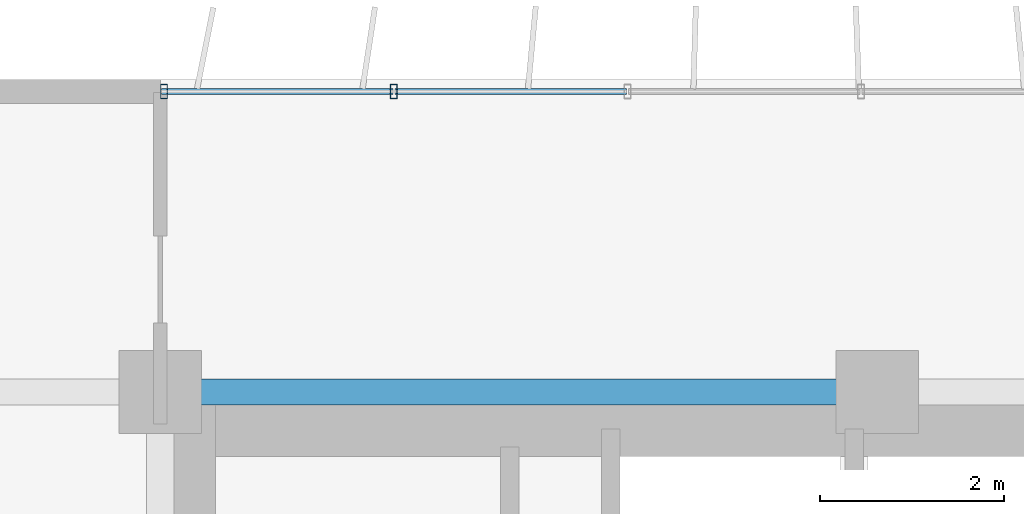
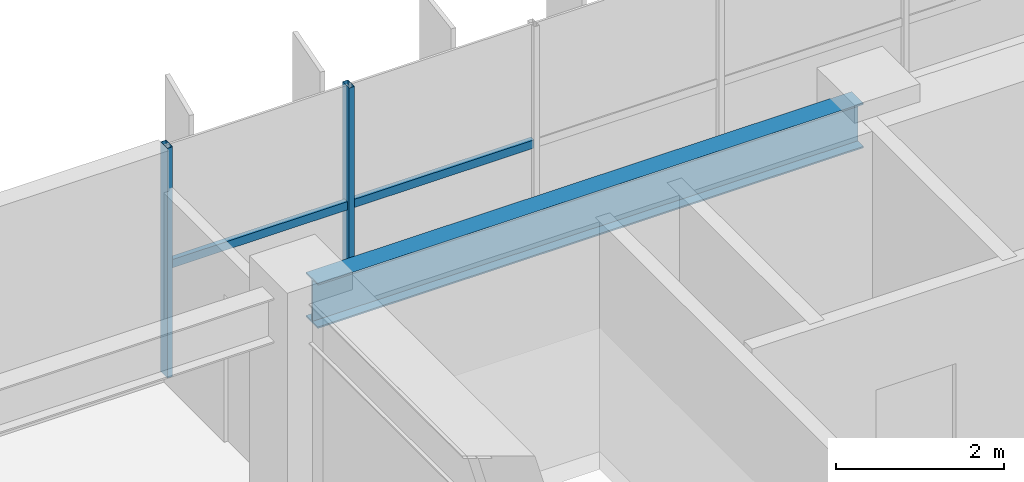
# One storey, part 5 of 22: 4 members, 1 beam, 1 element without a shape of its own.
"""IFC4 building model written with IfcOpenShell, lengths in metres."""

from ifc_helpers import new_model, si_unit, direction, frame, origin, origin_2d, place, context, subcontext, project, spatial, hollow_rectangle, i_section, extrude, source, transform, mapped, material, material_profile, profile_set, type_object, element, aggregate, save


model = new_model("IFC4")

# Units and contexts
model_context = context("Model", 3, precision=1e-05, world=origin(), true_north=direction((0.0, 1.0)))
body_context = subcontext(model_context, "Body", "Model", "MODEL_VIEW")
ifc_project = project(units=[si_unit("LENGTHUNIT", "METRE"), si_unit("AREAUNIT", "SQUARE_METRE"), si_unit("VOLUMEUNIT", "CUBIC_METRE"), si_unit("PLANEANGLEUNIT", "RADIAN"), si_unit("MASSUNIT", "GRAM", prefix="KILO")], contexts=[model_context])

# Site, building, storey
site_placement = place(None, origin())
site = spatial("IfcSite", under=ifc_project, at=site_placement, CompositionType="ELEMENT")
building_placement = place(site_placement, origin())
building = spatial("IfcBuilding", under=site, at=building_placement, Name="Trelvane Seafront Commons", CompositionType="ELEMENT")
storey_placement = place(building_placement, frame((0.0, 0.0, 59.5)))
storey = spatial("IfcBuildingStorey", under=building, at=storey_placement, Name="L15", CompositionType="ELEMENT", Elevation=59.5)

# Beam
ifc_material_1 = material(Name="Steel SM355 (S355)", Category="steel")
ifc_material_profile_1 = material_profile(ifc_material_1, i_section(OverallWidth=0.280029296875, OverallDepth=0.64990234375, WebThickness=0.012939453125, FlangeThickness=0.02197265625, at=origin_2d()), Name="H-650x280x13x22")
ifc_profile_set_1 = profile_set([ifc_material_profile_1], Name="Steel SM355 (S355)")
beam_type = type_object("IfcBeamType", Name="STR-BM-H650", PredefinedType="BEAM", material=ifc_profile_set_1)
shared_shape_1 = source(origin(), body_context, "Body", "SweptSolid", [
    extrude(i_section(OverallWidth=0.280029296875, OverallDepth=0.64990234375, WebThickness=0.012939453125, FlangeThickness=0.02197265625, at=origin_2d()), origin(), (0.0, 0.0, 1.0), 7.5),
])
beam_placement = place(storey_placement, frame((15.75, 45.10009765625, 3.014892578125), z_axis=(1.0, 0.0, 0.0), x_axis=(0.0, 1.0, 0.0)))
element("IfcBeam", 1, at=beam_placement, inside=storey, type_object=beam_type, Name="L15 Primary Girder G-30", PredefinedType="BEAM", context=body_context, shape_type="MappedRepresentation", body=[
    mapped(shared_shape_1, transform((0.0, 0.0, 0.0), x_axis=(1.0, 0.0, 0.0), y_axis=(0.0, 1.0, 0.0), z_axis=(0.0, 0.0, 1.0), scale=1.0)),
])

# Curtain wall, members
ifc_material_2 = material(Name="Anodised pale-silver aluminium", Category="aluminium")
curtain_wall_type = type_object("IfcCurtainWallType", Name="ARCH-CW2-LOWTOWER", PredefinedType="NOTDEFINED", material=ifc_material_2)
curtain_wall_placement = place(storey_placement, origin())
curtain_wall = element("IfcCurtainWall", 2, at=curtain_wall_placement, inside=storey, type_object=curtain_wall_type, Name="CW-L15-0039", PredefinedType="NOTDEFINED")
ifc_material_profile_2 = material_profile(ifc_material_2, hollow_rectangle(XDim=0.074951171875, YDim=0.159912109375, WallThickness=0.00390625, at=origin_2d()), Name="MULL-75x160x4")
ifc_profile_set_2 = profile_set([ifc_material_profile_2], Name="Anodised pale-silver aluminium")
member_type_1 = type_object("IfcMemberType", Name="ARCH-CW-MULL-160", PredefinedType="MULLION", material=ifc_profile_set_2)
shared_shape_2 = source(origin(), body_context, "Body", "SweptSolid", [
    extrude(hollow_rectangle(XDim=0.074951171875, YDim=0.159912109375, WallThickness=0.00390625, at=origin_2d()), origin(), (0.0, 0.0, 1.0), 3.340087890625),
])
member_1_placement = place(storey_placement, frame((15.639892578125, 48.3701171875, 0.0), z_axis=(0.0, 0.0, 1.0), x_axis=(1.0, 0.0, 0.0)))
member_1 = element("IfcMember", 3, at=member_1_placement, type_object=member_type_1, Name="CW-L15-0039-M00", PredefinedType="MULLION", context=body_context, shape_type="MappedRepresentation", body=[
    mapped(shared_shape_2, transform((0.0, 0.0, 0.0), x_axis=(1.0, 0.0, 0.0), y_axis=(0.0, 1.0, 0.0), z_axis=(0.0, 0.0, 1.0), scale=1.0)),
])
member_2_placement = place(storey_placement, frame((18.14111328125, 48.3701171875, 0.0), z_axis=(0.0, 0.0, 1.0), x_axis=(1.0, 0.0, 0.0)))
member_2 = element("IfcMember", 4, at=member_2_placement, type_object=member_type_1, Name="CW-L15-0039-M01", PredefinedType="MULLION", context=body_context, shape_type="MappedRepresentation", body=[
    mapped(shared_shape_2, transform((0.0, 0.0, 0.0), x_axis=(1.0, 0.0, 0.0), y_axis=(0.0, 1.0, 0.0), z_axis=(0.0, 0.0, 1.0), scale=1.0)),
])
ifc_material_profile_3 = material_profile(ifc_material_2, hollow_rectangle(XDim=0.070068359375, YDim=0.1201171875, WallThickness=0.00390625, at=origin_2d()), Name="TRAN-70x120x4")
ifc_profile_set_3 = profile_set([ifc_material_profile_3], Name="Anodised pale-silver aluminium")
member_type_2 = type_object("IfcMemberType", Name="ARCH-CW-TRAN-120", PredefinedType="USERDEFINED", material=ifc_profile_set_3)
shared_shape_3 = source(origin(), body_context, "Body", "SweptSolid", [
    extrude(hollow_rectangle(XDim=0.070068359375, YDim=0.1201171875, WallThickness=0.00390625, at=origin_2d()), origin(), (0.0, 0.0, 1.0), 2.51708984375),
])
member_3_placement = place(storey_placement, frame((15.612060546875, 48.3701171875, 1.60302734375), z_axis=(1.0, 0.0, 0.0), x_axis=(0.0, 1.0, 0.0)))
member_3 = element("IfcMember", 5, at=member_3_placement, type_object=member_type_2, Name="CW-L15-0039-T00", ObjectType="TRANSOM", PredefinedType="USERDEFINED", context=body_context, shape_type="MappedRepresentation", body=[
    mapped(shared_shape_3, transform((0.0, 0.0, 0.0), x_axis=(1.0, 0.0, 0.0), y_axis=(0.0, 1.0, 0.0), z_axis=(0.0, 0.0, 1.0), scale=1.0)),
])
member_4_placement = place(storey_placement, frame((18.1533203125, 48.3701171875, 1.60302734375), z_axis=(1.0, 0.0, 0.0), x_axis=(0.0, 1.0, 0.0)))
member_4 = element("IfcMember", 6, at=member_4_placement, type_object=member_type_2, Name="CW-L15-0039-T01", ObjectType="TRANSOM", PredefinedType="USERDEFINED", context=body_context, shape_type="MappedRepresentation", body=[
    mapped(shared_shape_3, transform((0.0, 0.0, 0.0), x_axis=(1.0, 0.0, 0.0), y_axis=(0.0, 1.0, 0.0), z_axis=(0.0, 0.0, 1.0), scale=1.0)),
])
aggregate(curtain_wall, [member_1, member_2, member_3, member_4])

save(model, "model.ifc")
